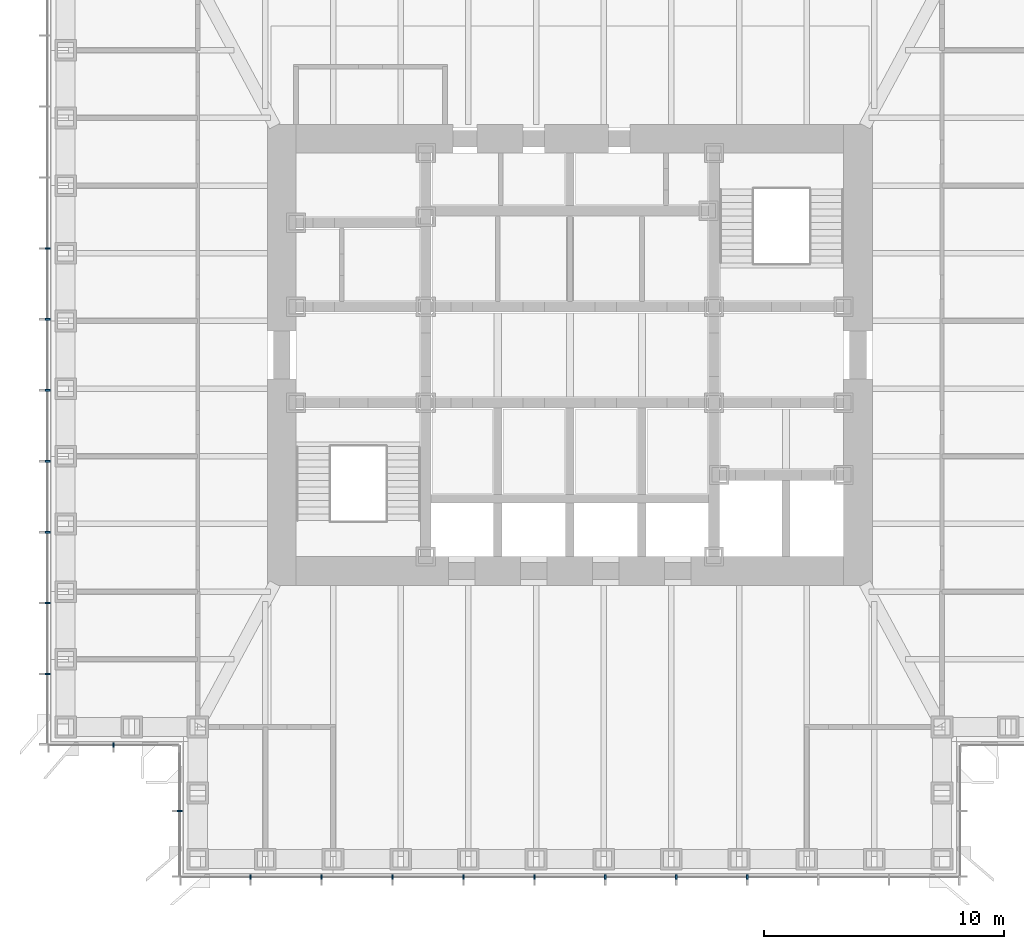
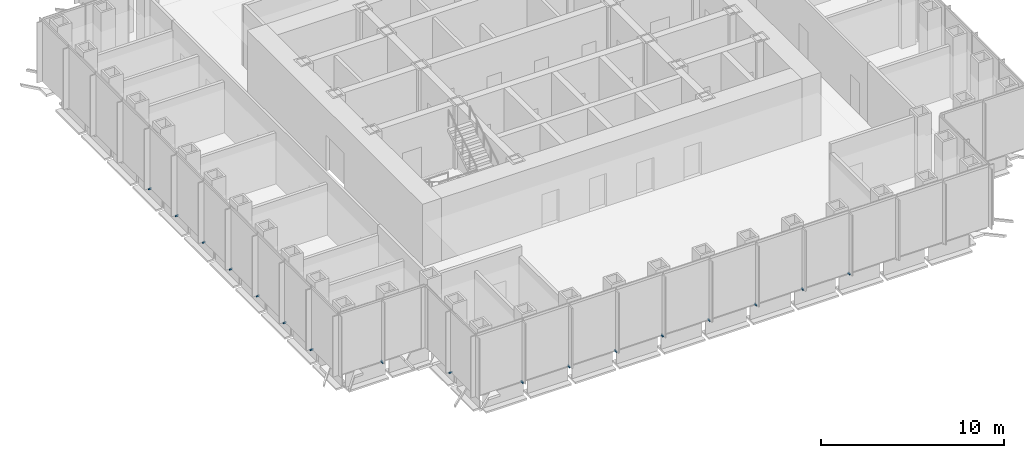
# One storey, part 11 of 17: 17 discrete accessories.
"""IFC4 building model written with IfcOpenShell, lengths in metres."""

from ifc_helpers import new_model, si_unit, direction, frame, origin, origin_2d, place, context, subcontext, project, spatial, rectangle, extrude, element, save


model = new_model("IFC4")

# Units and contexts
model_context = context("Model", 3, precision=1e-05, world=origin(), true_north=direction((0.0, 1.0)))
body_context = subcontext(model_context, "Body", "Model", "MODEL_VIEW")
ifc_project = project(units=[si_unit("LENGTHUNIT", "METRE"), si_unit("AREAUNIT", "SQUARE_METRE"), si_unit("VOLUMEUNIT", "CUBIC_METRE"), si_unit("PLANEANGLEUNIT", "RADIAN"), si_unit("MASSUNIT", "GRAM", prefix="KILO")], contexts=[model_context])

# Site, building, storey
site_placement = place(None, origin())
site = spatial("IfcSite", under=ifc_project, at=site_placement, CompositionType="ELEMENT")
building_placement = place(site_placement, origin())
building = spatial("IfcBuilding", under=site, at=building_placement, Name="Daluyong Arena Tower", CompositionType="ELEMENT")
storey_placement = place(building_placement, frame((0.0, 0.0, 185.5)))
storey = spatial("IfcBuildingStorey", under=building, at=storey_placement, Name="L41", CompositionType="ELEMENT", Elevation=185.5)

# Discrete accessories
for number, where, z_axis, x_axis, name in (
    (1, (42.70458984375, 58.25, -0.10009765625), (0.0, 0.0, 1.0), (1.0, 0.0, 0.0), "curtain wall L41 S anchor bracket 2"),
    (2, (45.6591796875, 58.25, -0.10009765625), (0.0, 0.0, 1.0), (1.0, 0.0, 0.0), "curtain wall L41 S anchor bracket 3"),
    (3, (48.613525390625, 58.25, -0.10009765625), (0.0, 0.0, 1.0), (1.0, 0.0, 0.0), "curtain wall L41 S anchor bracket 4"),
    (4, (51.568115234375, 58.25, -0.10009765625), (0.0, 0.0, 1.0), (1.0, 0.0, 0.0), "curtain wall L41 S anchor bracket 5"),
    (5, (54.522705078125, 58.25, -0.10009765625), (0.0, 0.0, 1.0), (1.0, 0.0, 0.0), "curtain wall L41 S anchor bracket 6"),
    (6, (57.477294921875, 58.25, -0.10009765625), (0.0, 0.0, 1.0), (1.0, 0.0, 0.0), "curtain wall L41 S anchor bracket 7"),
    (7, (60.431884765625, 58.25, -0.10009765625), (0.0, 0.0, 1.0), (1.0, 0.0, 0.0), "curtain wall L41 S anchor bracket 8"),
    (8, (63.386474609375, 58.25, -0.10009765625), (0.0, 0.0, 1.0), (1.0, 0.0, 0.0), "curtain wall L41 S anchor bracket 9"),
    (9, (34.25, 84.431884765625, -0.10009765625), (0.0, 0.0, 1.0), (0.0, -1.0, 0.0), "curtain wall L41 W anchor bracket 5"),
    (10, (34.25, 81.477294921875, -0.10009765625), (0.0, 0.0, 1.0), (0.0, -1.0, 0.0), "curtain wall L41 W anchor bracket 6"),
    (11, (34.25, 78.522705078125, -0.10009765625), (0.0, 0.0, 1.0), (0.0, -1.0, 0.0), "curtain wall L41 W anchor bracket 7"),
    (12, (34.25, 75.568115234375, -0.10009765625), (0.0, 0.0, 1.0), (0.0, -1.0, 0.0), "curtain wall L41 W anchor bracket 8"),
    (13, (34.25, 72.613525390625, -0.10009765625), (0.0, 0.0, 1.0), (0.0, -1.0, 0.0), "curtain wall L41 W anchor bracket 9"),
    (14, (34.25, 69.6591796875, -0.10009765625), (0.0, 0.0, 1.0), (0.0, -1.0, 0.0), "curtain wall L41 W anchor bracket 10"),
    (15, (34.25, 66.70458984375, -0.10009765625), (0.0, 0.0, 1.0), (0.0, -1.0, 0.0), "curtain wall L41 W anchor bracket 11"),
):
    element("IfcDiscreteAccessory", number, at=place(storey_placement, frame(where, z_axis=z_axis, x_axis=x_axis)), inside=storey, Name=name, PredefinedType="BRACKET", context=body_context, shape_type="SweptSolid", body=[
        extrude(rectangle(XDim=0.070068359375, YDim=0.199951171875, at=origin_2d()), origin(), (0.0, 0.0, 1.0), 0.10009765625),
    ])
for number, where, z_axis, x_axis, name in (
    (16, (37.0, 63.75, -0.10009765625), (0.0, 0.0, 1.0), (1.0, 0.0, 0.0), "curtain wall L41 SW-S anchor bracket 2"),
    (17, (39.75, 61.0, -0.10009765625), (0.0, 0.0, 1.0), (0.0, -1.0, 0.0), "curtain wall L41 SW-W anchor bracket 2"),
):
    element("IfcDiscreteAccessory", number, at=place(storey_placement, frame(where, z_axis=z_axis, x_axis=x_axis)), inside=storey, Name=name, PredefinedType="BRACKET", context=body_context, shape_type="SweptSolid", body=[
        extrude(rectangle(XDim=0.06005859375, YDim=0.199951171875, at=origin_2d()), origin(), (0.0, 0.0, 1.0), 0.10009765625),
    ])

save(model, "model.ifc")
